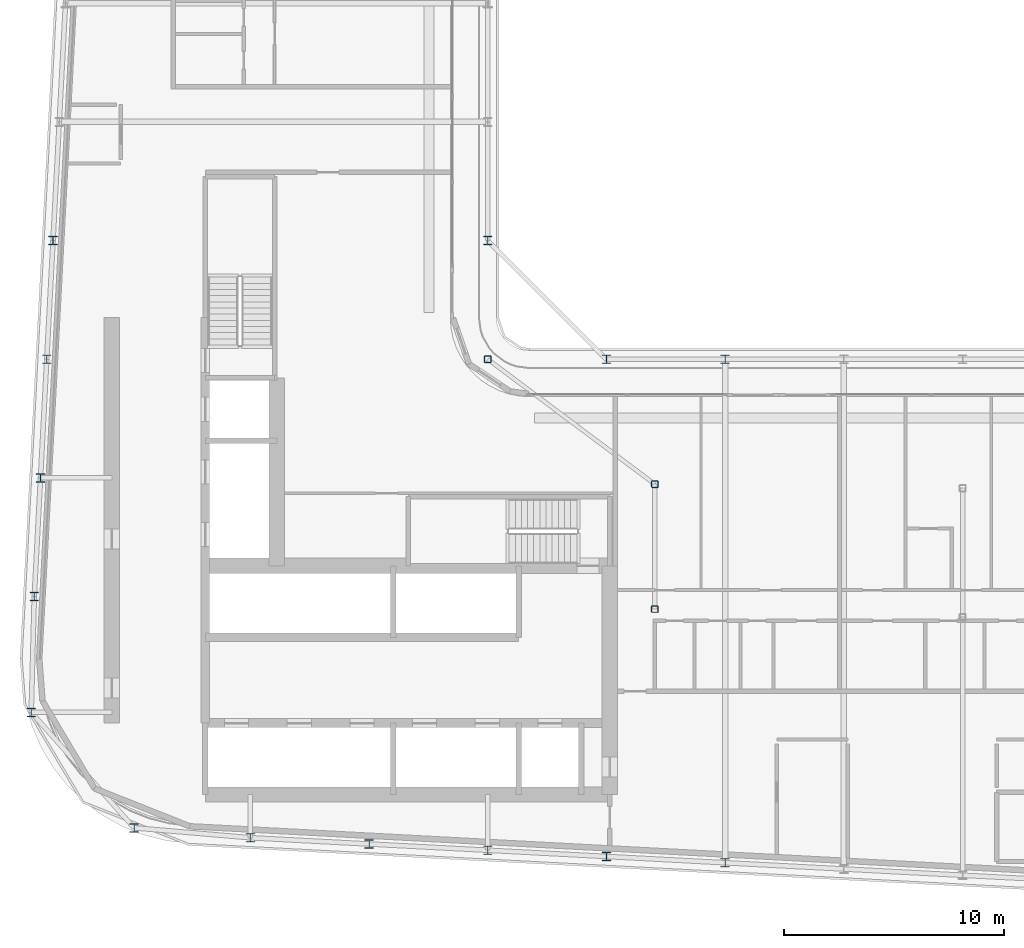
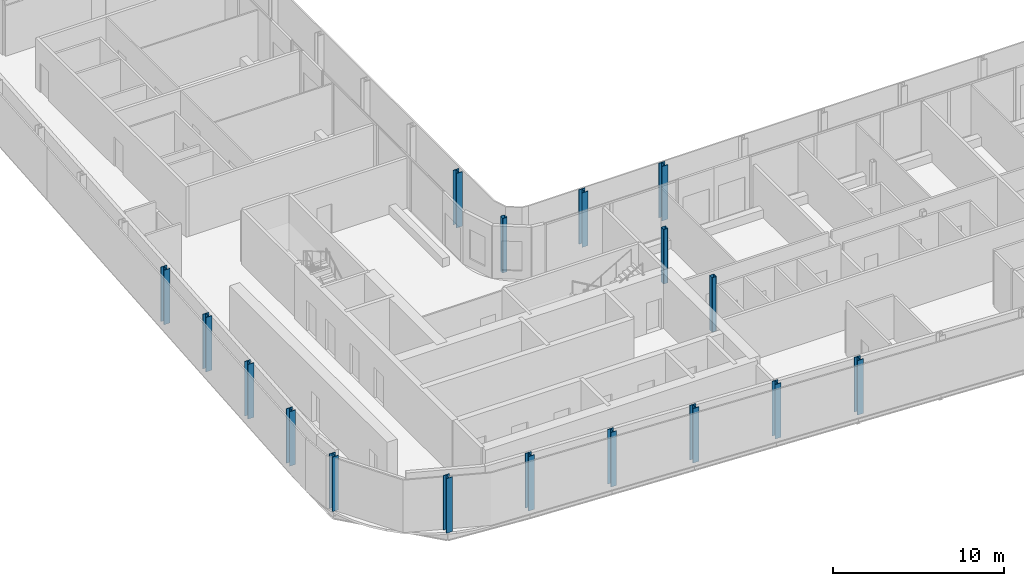
# One storey, part 1 of 22: 17 columns.
"""IFC4 building model written with IfcOpenShell, lengths in metres."""

from ifc_helpers import new_model, si_unit, direction, frame, origin, origin_2d, place, context, subcontext, project, spatial, hollow_rectangle, i_section, extrude, material, material_profile, profile_set, type_object, element, save


model = new_model("IFC4")

# Units and contexts
model_context = context("Model", 3, precision=1e-05, world=origin(), true_north=direction((0.0, 1.0)))
body_context = subcontext(model_context, "Body", "Model", "MODEL_VIEW")
ifc_project = project(units=[si_unit("LENGTHUNIT", "METRE"), si_unit("AREAUNIT", "SQUARE_METRE"), si_unit("VOLUMEUNIT", "CUBIC_METRE"), si_unit("PLANEANGLEUNIT", "RADIAN"), si_unit("MASSUNIT", "GRAM", prefix="KILO")], contexts=[model_context])

# Site, building, storey
site_placement = place(None, origin())
site = spatial("IfcSite", under=ifc_project, at=site_placement, CompositionType="ELEMENT")
building_placement = place(site_placement, origin())
building = spatial("IfcBuilding", under=site, at=building_placement, Name="Kheshtan School and Residences Tower", CompositionType="ELEMENT")
storey_placement = place(building_placement, frame((0.0, 0.0, 251.300048828125)))
storey = spatial("IfcBuildingStorey", under=building, at=storey_placement, Name="L59", CompositionType="ELEMENT", Elevation=251.300048828125)

# Columns
ifc_material_1 = material(Name="Steel ASTM A992 Grade 50", Category="steel")
ifc_material_profile_1 = material_profile(ifc_material_1, i_section(OverallWidth=0.404052734375, OverallDepth=0.406982421875, WebThickness=0.027099609375, FlangeThickness=0.043701171875, FilletRadius=0.01220703125, at=origin_2d()), Name="W360x347")
ifc_profile_set_1 = profile_set([ifc_material_profile_1], Name="Steel ASTM A992 Grade 50")
column_type_1 = type_object("IfcColumnType", Name="Column C4 W360x347 ASTM A992 Grade 50", PredefinedType="COLUMN", material=ifc_profile_set_1)
for number, where, z_axis, x_axis, name in (
    (1, (58.39990234375, 22.695068359375, 0.0), (0.0, 0.0, 1.0), (1.0, 0.0, 0.0), "Column C018"),
    (2, (53.0, 22.97998046875, 0.0), (0.0, 0.0, 1.0), (1.0, 0.0, 0.0), "Column C019"),
    (3, (47.60009765625, 23.263916015625, 0.0), (0.0, 0.0, 1.0), (1.0, 0.0, 0.0), "Column C020"),
    (4, (42.199951171875, 23.548095703125, 0.0), (0.0, 0.0, 1.0), (1.0, 0.0, 0.0), "Column C021"),
    (5, (36.800048828125, 23.83203125, 0.0), (0.0, 0.0, 1.0), (1.0, 0.0, 0.0), "Column C022"),
    (6, (31.510009765625, 24.282958984375, 0.0), (0.0, 0.0, 1.0), (1.0, 0.0, 0.0), "Column C030"),
    (7, (26.830078125, 29.5380859375, 0.0), (0.0, 0.0, 1.0), (1.0, 0.0, 0.0), "Column C043"),
    (8, (26.968994140625, 34.800048828125, 0.0), (0.0, 0.0, 1.0), (1.0, 0.0, 0.0), "Column C052"),
    (9, (27.2529296875, 40.199951171875, 0.0), (0.0, 0.0, 1.0), (1.0, 0.0, 0.0), "Column C056"),
    (10, (27.537109375, 45.60009765625, 0.0), (0.0, 0.0, 1.0), (1.0, 0.0, 0.0), "Column C059"),
    (11, (53.0, 45.60009765625, 0.0), (0.0, 0.0, 1.0), (1.0, 0.0, 0.0), "Column C061"),
    (12, (58.39990234375, 45.60009765625, 0.0), (0.0, 0.0, 1.0), (1.0, 0.0, 0.0), "Column C062"),
    (13, (27.822021484375, 51.0, 0.0), (0.0, 0.0, 1.0), (1.0, 0.0, 0.0), "Column C078"),
    (14, (47.60009765625, 51.0, 0.0), (0.0, 0.0, 1.0), (1.0, 0.0, 0.0), "Column C079"),
):
    element("IfcColumn", number, at=place(storey_placement, frame(where, z_axis=z_axis, x_axis=x_axis)), inside=storey, type_object=column_type_1, Name=name, PredefinedType="COLUMN", context=body_context, shape_type="SweptSolid", body=[
        extrude(i_section(OverallWidth=0.404052734375, OverallDepth=0.406982421875, WebThickness=0.027099609375, FlangeThickness=0.043701171875, FilletRadius=0.01220703125, at=origin_2d()), origin(), (0.0, 0.0, 1.0), 3.89990234375),
    ])
ifc_material_2 = material(Name="Steel ASTM A500 Grade C", Category="steel")
ifc_material_profile_2 = material_profile(ifc_material_2, hollow_rectangle(XDim=0.304931640625, YDim=0.304931640625, WallThickness=0.015869140625, InnerFilletRadius=0.015869140625, OuterFilletRadius=0.03173828125, at=origin_2d()), Name="HSS 305x305x15.9")
ifc_profile_set_2 = profile_set([ifc_material_profile_2], Name="Steel ASTM A500 Grade C")
column_type_2 = type_object("IfcColumnType", Name="Column IC2 HSS 305x305x15.9 ASTM A500 Grade C", PredefinedType="COLUMN", material=ifc_profile_set_2)
for number, where, z_axis, x_axis, name in (
    (15, (55.199951171875, 34.23193359375, 0.0), (0.0, 0.0, 1.0), (1.0, 0.0, 0.0), "Column C051"),
    (16, (55.199951171875, 39.916015625, 0.0), (0.0, 0.0, 1.0), (1.0, 0.0, 0.0), "Column C055"),
    (17, (47.60009765625, 45.60009765625, 0.0), (0.0, 0.0, 1.0), (1.0, 0.0, 0.0), "Column C060"),
):
    element("IfcColumn", number, at=place(storey_placement, frame(where, z_axis=z_axis, x_axis=x_axis)), inside=storey, type_object=column_type_2, Name=name, PredefinedType="COLUMN", context=body_context, shape_type="SweptSolid", body=[
        extrude(hollow_rectangle(XDim=0.304931640625, YDim=0.304931640625, WallThickness=0.015869140625, InnerFilletRadius=0.015869140625, OuterFilletRadius=0.03173828125, at=origin_2d()), origin(), (0.0, 0.0, 1.0), 3.89990234375),
    ])

save(model, "model.ifc")
